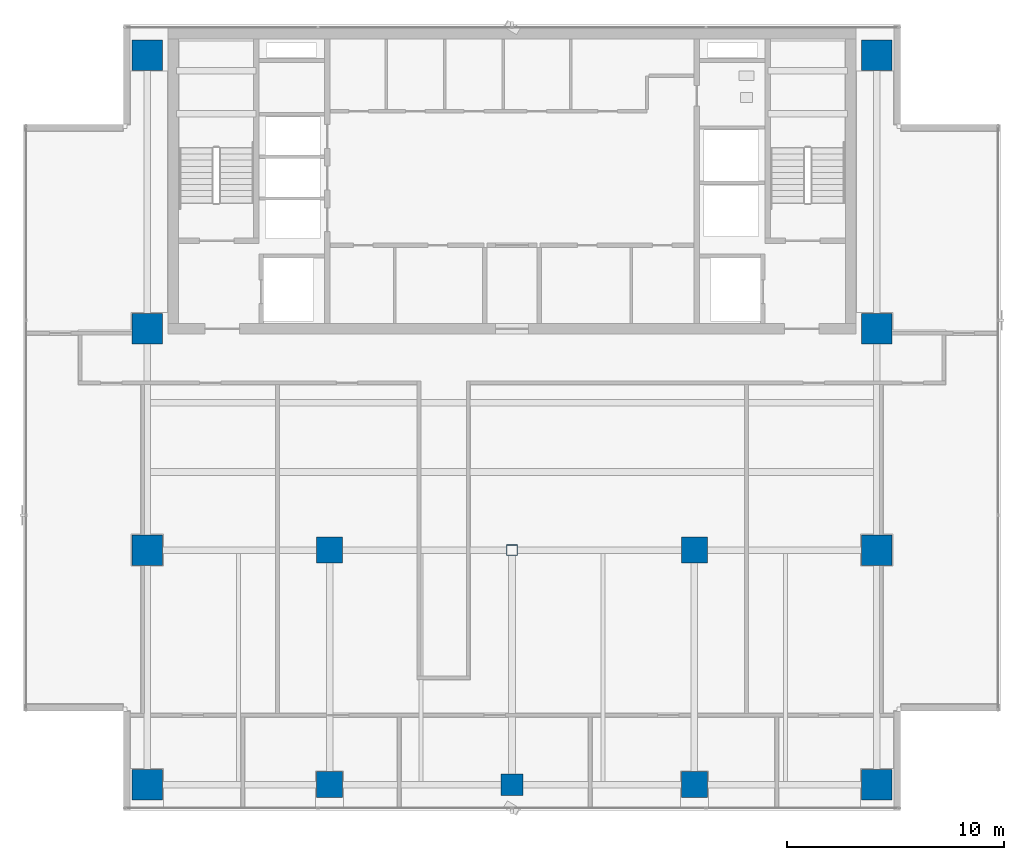
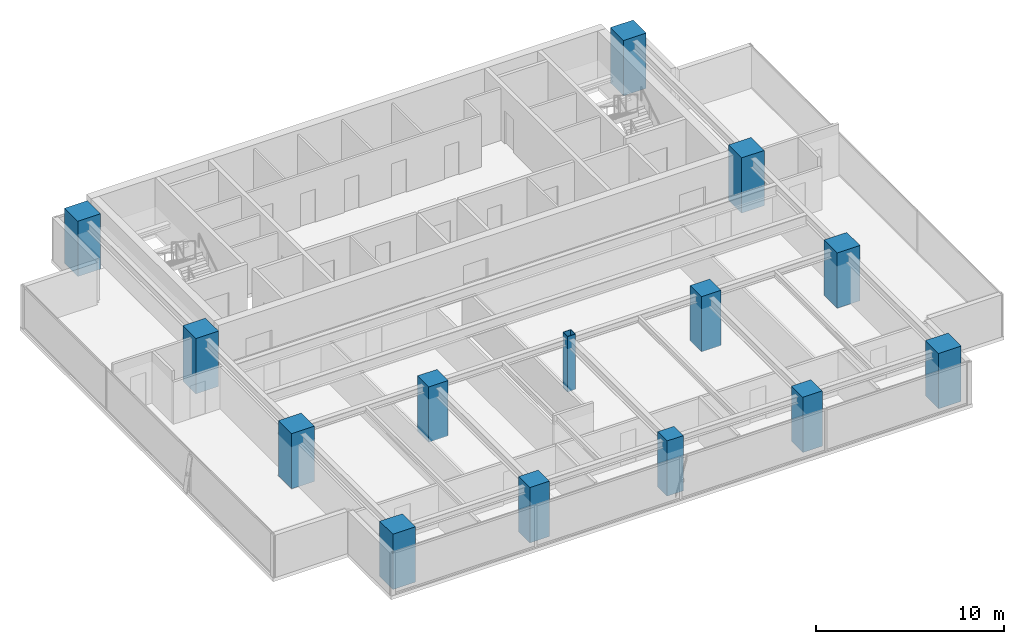
# One storey, part 1 of 26: 14 columns.
"""IFC4 building model written with IfcOpenShell, lengths in metres."""

import ifcopenshell
import ifcopenshell.guid

model = None  # the IFC model being written
_history = None  # IfcOwnerHistory: only IFC2X3 demands one
_inside = {}  # id of a spatial element -> (the spatial element, [elements in it])
_under = {}  # id of a project, library or spatial element -> (it, [spatial elements below it])
_declared = {}  # id of a project -> (the project, [libraries it declares])
_typed = {}  # id of a type object -> (the type object, [elements of that type])
_made_of = {}  # id of a material, layer set ... -> (it, [elements and type objects made of it])


def new_model(schema):
    """Start an empty IFC model of exactly this schema.

    Asked for "IFC4X3", IfcOpenShell would pick the latest addendum, in which some entities
    have other attributes; the version numbers below select the first issue.
    IFC2X3 requires an IfcOwnerHistory on every rooted entity: one is made here for all.
    """
    global model, _history
    if schema == "IFC4X3":
        model = ifcopenshell.file(schema_version=(4, 3, 0, 0))
    else:
        model = ifcopenshell.file(schema=schema)
    _inside.clear()
    _under.clear()
    _declared.clear()
    _typed.clear()
    _made_of.clear()
    _history = None
    if model.schema == "IFC2X3":
        org = make("IfcOrganization", Name="unknown")
        user = make(
            "IfcPersonAndOrganization",
            ThePerson=make("IfcPerson", FamilyName="unknown"),
            TheOrganization=org,
        )
        app = make(
            "IfcApplication",
            ApplicationDeveloper=org,
            Version="unknown",
            ApplicationFullName="unknown",
            ApplicationIdentifier="unknown",
        )
        _history = make(
            "IfcOwnerHistory",
            OwningUser=user,
            OwningApplication=app,
            ChangeAction="ADDED",
            CreationDate=0,
        )
    return model


def make(cls, **values):
    """One entity of the class cls with the attributes given. An attribute that is None is left unset."""
    return model.create_entity(
        cls, **{name: value for name, value in values.items() if value is not None}
    )


def rooted(cls, **values):
    """An entity with a GlobalId (a new one), such as an element, a storey or a relation."""
    return make(cls, GlobalId=ifcopenshell.guid.new(), OwnerHistory=_history, **values)


def si_unit(unit_type, name, prefix=None):
    """IfcSIUnit, for example si_unit("LENGTHUNIT", "METRE", prefix="MILLI")."""
    return make("IfcSIUnit", UnitType=unit_type, Prefix=prefix, Name=name)


def assignment(units):
    """IfcUnitAssignment: the units of a project."""
    return None if units is None else make("IfcUnitAssignment", Units=units)


def point(xyz):
    """IfcCartesianPoint."""
    return None if xyz is None else make("IfcCartesianPoint", Coordinates=xyz)


def direction(xyz):
    """IfcDirection."""
    return None if xyz is None else make("IfcDirection", DirectionRatios=xyz)


def frame(location, z_axis=None, x_axis=None):
    """IfcAxis2Placement3D, a coordinate frame: its origin and axes. An axis left out is left unset."""
    return make(
        "IfcAxis2Placement3D",
        Location=point(location),
        Axis=direction(z_axis),
        RefDirection=direction(x_axis),
    )


def frame_2d(location, x_axis=None):
    """IfcAxis2Placement2D, a coordinate frame in the plane: its origin and x axis."""
    return make(
        "IfcAxis2Placement2D", Location=point(location), RefDirection=direction(x_axis)
    )


def origin():
    """The frame at (0, 0, 0) with its axes left unset."""
    return frame((0.0, 0.0, 0.0))


def origin_with_axes():
    """The frame at (0, 0, 0) with the z axis (0, 0, 1) and the x axis (1, 0, 0) written out."""
    return frame((0.0, 0.0, 0.0), z_axis=(0.0, 0.0, 1.0), x_axis=(1.0, 0.0, 0.0))


def origin_2d():
    """The frame at (0, 0) in the plane with its x axis left unset."""
    return frame_2d((0.0, 0.0))


def place(relative_to, where):
    """IfcLocalPlacement: puts the frame where relative to a parent placement (None: the world)."""
    return make(
        "IfcLocalPlacement", PlacementRelTo=relative_to, RelativePlacement=where
    )


def context(
    kind, dimensions, precision=None, world=None, true_north=None, identifier=None
):
    """IfcGeometricRepresentationContext, for example the 3D "Model" context."""
    return make(
        "IfcGeometricRepresentationContext",
        ContextIdentifier=identifier,
        ContextType=kind,
        CoordinateSpaceDimension=dimensions,
        Precision=precision,
        WorldCoordinateSystem=world,
        TrueNorth=true_north,
    )


def subcontext(parent, identifier, kind, view, scale=None):
    """IfcGeometricRepresentationSubContext, for example "Body" below "Model"."""
    return make(
        "IfcGeometricRepresentationSubContext",
        ContextIdentifier=identifier,
        ContextType=kind,
        ParentContext=parent,
        TargetScale=scale,
        TargetView=view,
    )


def project(units=None, contexts=None):
    """IfcProject with its units and contexts."""
    return rooted(
        "IfcProject",
        Name="project",
        RepresentationContexts=contexts,
        UnitsInContext=assignment(units),
    )


def spatial(cls, under=None, at=None, **own):
    """A site, building, storey or space (cls), placed at a placement, below another one or the project."""
    s = rooted(cls, ObjectPlacement=at, **own)
    if under is not None:
        _under.setdefault(under.id(), (under, []))[1].append(s)
    return s


def profile(cls, at=None, kind="AREA", **sizes):
    """A parametric profile (cls). Its sizes go by their IFC names, for example OverallWidth=200.0."""
    return make(cls, ProfileType=kind, Position=at, **sizes)


def rectangle(**sizes):
    """IfcRectangleProfileDef."""
    return profile("IfcRectangleProfileDef", **sizes)


def hollow_rectangle(**sizes):
    """IfcRectangleHollowProfileDef."""
    return profile("IfcRectangleHollowProfileDef", **sizes)


def extrude(swept, where, along, depth):
    """IfcExtrudedAreaSolid: the profile swept, set in the frame where, extruded along a direction by depth."""
    return make(
        "IfcExtrudedAreaSolid",
        SweptArea=swept,
        Position=where,
        ExtrudedDirection=direction(along),
        Depth=depth,
    )


def shape(context_of_items, identifier, shape_type, items):
    """IfcShapeRepresentation: the items that make up one representation, for example the "Body"."""
    return make(
        "IfcShapeRepresentation",
        ContextOfItems=context_of_items,
        RepresentationIdentifier=identifier,
        RepresentationType=shape_type,
        Items=items,
    )


def source(mapping_origin, context_of_items, identifier, shape_type, items):
    """IfcRepresentationMap: a shape defined once, which mapped items show again and again."""
    return make(
        "IfcRepresentationMap",
        MappingOrigin=mapping_origin,
        MappedRepresentation=shape(context_of_items, identifier, shape_type, items),
    )


def transform(
    local_origin,
    x_axis=None,
    y_axis=None,
    z_axis=None,
    scale=None,
    scale2=None,
    scale3=None,
    uniform=True,
):
    """IfcCartesianTransformationOperator3D, or its non-uniform kind. x_axis, y_axis, z_axis: its Axis1, 2, 3."""
    if uniform:
        return make(
            "IfcCartesianTransformationOperator3D",
            Axis1=direction(x_axis),
            Axis2=direction(y_axis),
            LocalOrigin=point(local_origin),
            Scale=scale,
            Axis3=direction(z_axis),
        )
    return make(
        "IfcCartesianTransformationOperator3DnonUniform",
        Axis1=direction(x_axis),
        Axis2=direction(y_axis),
        LocalOrigin=point(local_origin),
        Scale=scale,
        Axis3=direction(z_axis),
        Scale2=scale2,
        Scale3=scale3,
    )


def mapped(mapping_source, mapping_target):
    """IfcMappedItem: shows the shape of a source again, moved by a transform."""
    return make(
        "IfcMappedItem", MappingSource=mapping_source, MappingTarget=mapping_target
    )


def material(Name=None, Category=None):
    """IfcMaterial."""
    return make("IfcMaterial", Name=Name, Category=Category)


def material_profile(
    of_material, cross_section, Name=None, Category=None, Priority=None
):
    """IfcMaterialProfile: a cross section and its material."""
    return make(
        "IfcMaterialProfile",
        Name=Name,
        Material=of_material,
        Profile=cross_section,
        Priority=Priority,
        Category=Category,
    )


def profile_set(profiles, Name=None, composite=None):
    """IfcMaterialProfileSet."""
    return make(
        "IfcMaterialProfileSet",
        Name=Name,
        MaterialProfiles=profiles,
        CompositeProfile=composite,
    )


def made_of(thing, what):
    """Note that an element or type object is made of a material, layer set ...; save() writes the relation."""
    if what is not None:
        _made_of.setdefault(what.id(), (what, []))[1].append(thing)
    return thing


def type_object(cls, material=None, **own):
    """A type object (cls), such as IfcWallType, which elements share."""
    return made_of(rooted(cls, **own), material)


def element(
    cls,
    number,
    at=None,
    inside=None,
    cuts=None,
    type_object=None,
    material=None,
    context=None,
    identifier="Body",
    shape_type=None,
    held_by="IfcProductDefinitionShape",
    body=None,
    shapes=None,
    **own,
):
    """One element of the class cls, such as IfcWall. Its Tag is "e" and its number.

    at: its placement. inside: the storey or other place that contains it. cuts: it is an
    opening in that element (IfcRelVoidsElement). A single representation is given by context,
    identifier, shape_type and body (its items); several are given by shapes. held_by: the class
    of the entity that holds the representations. save() writes the other relations.
    """
    e = rooted(cls, Tag="e%d" % number, ObjectPlacement=at, **own)
    if body is not None:
        shapes = [shape(context, identifier, shape_type, body)]
    if shapes is not None:
        e.Representation = make(held_by, Representations=shapes)
    if inside is not None:
        _inside.setdefault(inside.id(), (inside, []))[1].append(e)
    if cuts is not None:
        rooted(
            "IfcRelVoidsElement", RelatingBuildingElement=cuts, RelatedOpeningElement=e
        )
    if type_object is not None:
        _typed.setdefault(type_object.id(), (type_object, []))[1].append(e)
    return made_of(e, material)


def aggregate(whole, parts):
    """IfcRelAggregates: a whole, such as a stair, and the parts it consists of."""
    return rooted("IfcRelAggregates", RelatingObject=whole, RelatedObjects=parts)


def save(model, path):
    """Write the relations noted so far, then the file.

    IfcRelAggregates (storeys below a building ...), IfcRelContainedInSpatialStructure (elements
    in a storey), IfcRelDefinesByType, IfcRelAssociatesMaterial and IfcRelDeclares: one each for
    every whole, place, type object, material and project.
    """
    for whole, parts in _under.values():
        aggregate(whole, parts)
    for where, things in _inside.values():
        rooted(
            "IfcRelContainedInSpatialStructure",
            RelatedElements=things,
            RelatingStructure=where,
        )
    for kind, things in _typed.values():
        rooted("IfcRelDefinesByType", RelatedObjects=things, RelatingType=kind)
    for what, things in _made_of.values():
        rooted("IfcRelAssociatesMaterial", RelatedObjects=things, RelatingMaterial=what)
    for by, libraries in _declared.values():
        rooted("IfcRelDeclares", RelatingContext=by, RelatedDefinitions=libraries)
    model.write(path)


model = new_model("IFC4")

# Units and contexts
model_context = context("Model", 3, precision=1e-05, world=origin(), true_north=direction((0.0, 1.0)))
body_context = subcontext(model_context, "Body", "Model", "MODEL_VIEW")
ifc_project = project(units=[si_unit("LENGTHUNIT", "METRE"), si_unit("AREAUNIT", "SQUARE_METRE"), si_unit("VOLUMEUNIT", "CUBIC_METRE"), si_unit("PLANEANGLEUNIT", "RADIAN"), si_unit("MASSUNIT", "GRAM", prefix="KILO")], contexts=[model_context])

# Site, building, storey
site_placement = place(None, origin())
site = spatial("IfcSite", under=ifc_project, at=site_placement, CompositionType="ELEMENT")
building_placement = place(site_placement, origin())
building = spatial("IfcBuilding", under=site, at=building_placement, Name="Sumidabori Civic Tower", CompositionType="ELEMENT")
storey_placement = place(building_placement, frame((0.0, 0.0, 254.0)))
storey = spatial("IfcBuildingStorey", under=building, at=storey_placement, Name="L66", CompositionType="ELEMENT", Elevation=254.0)

# Columns
ifc_material_1 = material(Name="Concrete C60/75", Category="concrete")
ifc_material_profile_1 = material_profile(ifc_material_1, rectangle(XDim=1.39990234375, YDim=1.39990234375, at=origin_2d()), Name="RC 1400x1400")
ifc_profile_set_1 = profile_set([ifc_material_profile_1], Name="Concrete C60/75")
column_type_1 = type_object("IfcColumnType", Name="CL-MEGA-1400", PredefinedType="COLUMN", material=ifc_profile_set_1)
shared_shape_1 = source(origin(), body_context, "Body", "SweptSolid", [
    extrude(rectangle(XDim=1.39990234375, YDim=1.39990234375, at=origin_2d()), origin(), (0.0, 0.0, 1.0), 3.60009765625),
])
for number, where, z_axis, x_axis, name in (
    (1, (-16.800048828125, -10.800048828125, 0.0), (0.0, 0.0, 1.0), (1.0, 0.0, 0.0), "Column MC-W16-Y11S L66"),
    (2, (-16.800048828125, 0.0, 0.0), (0.0, 0.0, 1.0), (1.0, 0.0, 0.0), "Column MC-W16-Y00 L66"),
    (3, (-16.800048828125, 10.199951171875, 0.0), (0.0, 0.0, 1.0), (1.0, 0.0, 0.0), "Column MC-W16-Y10N L66"),
    (4, (-16.800048828125, 22.800048828125, 0.0), (0.0, 0.0, 1.0), (1.0, 0.0, 0.0), "Column MC-W16-Y23N L66"),
    (5, (16.800048828125, -10.800048828125, 0.0), (0.0, 0.0, 1.0), (1.0, 0.0, 0.0), "Column MC-E16-Y11S L66"),
    (6, (16.800048828125, 0.0, 0.0), (0.0, 0.0, 1.0), (1.0, 0.0, 0.0), "Column MC-E16-Y00 L66"),
    (7, (16.800048828125, 10.199951171875, 0.0), (0.0, 0.0, 1.0), (1.0, 0.0, 0.0), "Column MC-E16-Y10N L66"),
    (8, (16.800048828125, 22.800048828125, 0.0), (0.0, 0.0, 1.0), (1.0, 0.0, 0.0), "Column MC-E16-Y23N L66"),
):
    element("IfcColumn", number, at=place(storey_placement, frame(where, z_axis=z_axis, x_axis=x_axis)), inside=storey, type_object=column_type_1, Name=name, PredefinedType="COLUMN", context=body_context, shape_type="MappedRepresentation", body=[
        mapped(shared_shape_1, transform((0.0, 0.0, 0.0), x_axis=(1.0, 0.0, 0.0), y_axis=(0.0, 1.0, 0.0), z_axis=(0.0, 0.0, 1.0), scale=1.0)),
    ])
ifc_material_2 = material(Name="Concrete C50/60", Category="concrete")
ifc_material_profile_2 = material_profile(ifc_material_2, rectangle(XDim=1.0, YDim=1.0, at=origin_2d()), Name="RC 1000x1000")
ifc_profile_set_2 = profile_set([ifc_material_profile_2], Name="Concrete C50/60")
column_type_2 = type_object("IfcColumnType", Name="CL-INT-1000", PredefinedType="COLUMN", material=ifc_profile_set_2)
shared_shape_2 = source(origin(), body_context, "Body", "SweptSolid", [
    extrude(rectangle(XDim=1.0, YDim=1.0, at=origin_2d()), origin(), (0.0, 0.0, 1.0), 3.60009765625),
])
column_1_placement = place(storey_placement, frame((0.0, -10.800048828125, 0.0), z_axis=(0.0, 0.0, 1.0), x_axis=(1.0, 0.0, 0.0)))
element("IfcColumn", 9, at=column_1_placement, inside=storey, type_object=column_type_2, Name="Column MC-C00-Y11S L66", PredefinedType="COLUMN", context=body_context, shape_type="MappedRepresentation", body=[
    mapped(shared_shape_2, transform((0.0, 0.0, 0.0), x_axis=(1.0, 0.0, 0.0), y_axis=(0.0, 1.0, 0.0), z_axis=(0.0, 0.0, 1.0), scale=1.0)),
])
ifc_material_profile_3 = material_profile(ifc_material_2, rectangle(XDim=1.199951171875, YDim=1.199951171875, at=origin_2d()), Name="RC 1200x1200")
ifc_profile_set_3 = profile_set([ifc_material_profile_3], Name="Concrete C50/60")
column_type_3 = type_object("IfcColumnType", Name="CL-MEGA-1200", PredefinedType="COLUMN", material=ifc_profile_set_3)
shared_shape_3 = source(origin(), body_context, "Body", "SweptSolid", [
    extrude(rectangle(XDim=1.199951171875, YDim=1.199951171875, at=origin_2d()), origin(), (0.0, 0.0, 1.0), 3.60009765625),
])
for number, where, z_axis, x_axis, name in (
    (10, (-8.39990234375, 0.0, 0.0), (0.0, 0.0, 1.0), (1.0, 0.0, 0.0), "Column MC-W08-Y00 L66"),
    (11, (-8.39990234375, -10.800048828125, 0.0), (0.0, 0.0, 1.0), (1.0, 0.0, 0.0), "Column MC-W08-Y11S L66"),
    (12, (8.39990234375, 0.0, 0.0), (0.0, 0.0, 1.0), (1.0, 0.0, 0.0), "Column MC-E08-Y00 L66"),
    (13, (8.39990234375, -10.800048828125, 0.0), (0.0, 0.0, 1.0), (1.0, 0.0, 0.0), "Column MC-E08-Y11S L66"),
):
    element("IfcColumn", number, at=place(storey_placement, frame(where, z_axis=z_axis, x_axis=x_axis)), inside=storey, type_object=column_type_3, Name=name, PredefinedType="COLUMN", context=body_context, shape_type="MappedRepresentation", body=[
        mapped(shared_shape_3, transform((0.0, 0.0, 0.0), x_axis=(1.0, 0.0, 0.0), y_axis=(0.0, 1.0, 0.0), z_axis=(0.0, 0.0, 1.0), scale=1.0)),
    ])
ifc_material_3 = material(Name="Steel SN490", Category="steel")
ifc_material_profile_4 = material_profile(ifc_material_3, hollow_rectangle(XDim=0.5, YDim=0.5, WallThickness=0.02490234375, at=origin_2d()), Name="SHS 500x500x25")
ifc_profile_set_4 = profile_set([ifc_material_profile_4], Name="Steel SN490")
column_type_4 = type_object("IfcColumnType", Name="CL-CRN-SHS500", PredefinedType="COLUMN", material=ifc_profile_set_4)
shared_shape_4 = source(origin(), body_context, "Body", "SweptSolid", [
    extrude(hollow_rectangle(XDim=0.5, YDim=0.5, WallThickness=0.02490234375, at=origin_2d()), origin(), (0.0, 0.0, 1.0), 3.60009765625),
])
column_2_placement = place(storey_placement, origin_with_axes())
element("IfcColumn", 14, at=column_2_placement, inside=storey, type_object=column_type_4, Name="Column MC-C00-Y00 L66", PredefinedType="COLUMN", context=body_context, shape_type="MappedRepresentation", body=[
    mapped(shared_shape_4, transform((0.0, 0.0, 0.0), x_axis=(1.0, 0.0, 0.0), y_axis=(0.0, 1.0, 0.0), z_axis=(0.0, 0.0, 1.0), scale=1.0)),
])

save(model, "model.ifc")
